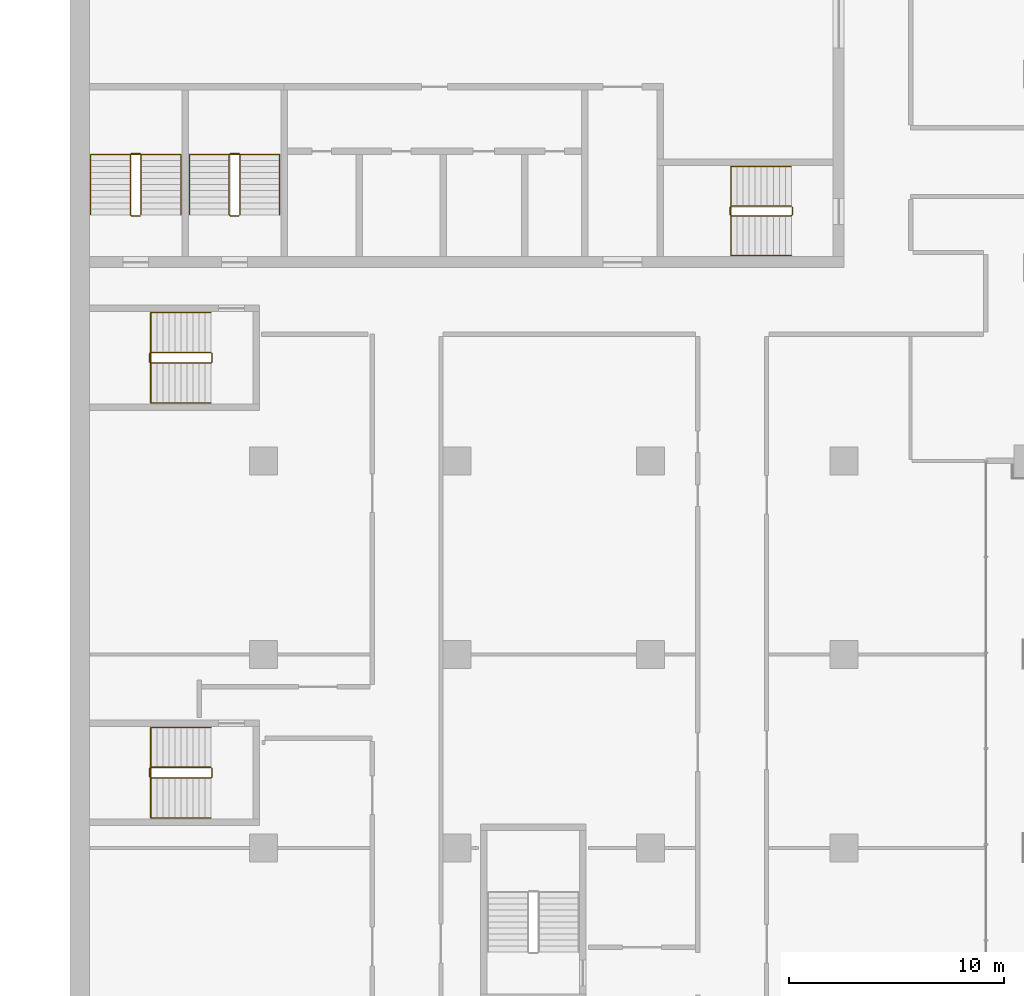
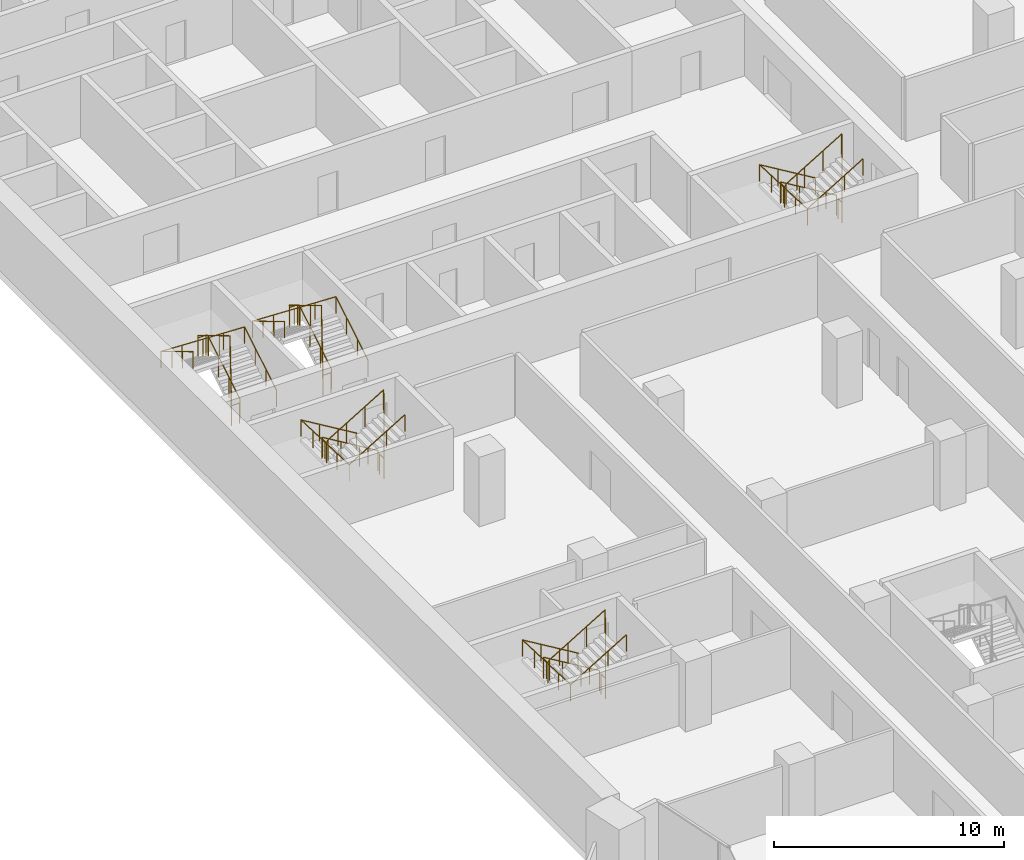
# One storey, part 20 of 22: 10 railings.
"""IFC4 building model written with IfcOpenShell, lengths in metres."""

from ifc_helpers import new_model, si_unit, direction, frame, origin, origin_2d, place, context, subcontext, project, spatial, circle, extrude, material, type_object, element, save


model = new_model("IFC4")

# Units and contexts
model_context = context("Model", 3, precision=1e-05, world=origin(), true_north=direction((0.0, 1.0)))
body_context = subcontext(model_context, "Body", "Model", "MODEL_VIEW")
ifc_project = project(units=[si_unit("LENGTHUNIT", "METRE"), si_unit("AREAUNIT", "SQUARE_METRE"), si_unit("VOLUMEUNIT", "CUBIC_METRE"), si_unit("PLANEANGLEUNIT", "RADIAN"), si_unit("MASSUNIT", "GRAM", prefix="KILO")], contexts=[model_context])

# Site, building, storey
site_placement = place(None, origin())
site = spatial("IfcSite", under=ifc_project, at=site_placement, CompositionType="ELEMENT")
building_placement = place(site_placement, origin())
building = spatial("IfcBuilding", under=site, at=building_placement, Name="Hunhe Ridgeline Campus", CompositionType="ELEMENT")
storey_placement = place(building_placement, frame((0.0, 0.0, 118.10009765625)))
storey = spatial("IfcBuildingStorey", under=building, at=storey_placement, Name="L29", CompositionType="ELEMENT", Elevation=118.10009765625)

# Railings
ifc_material_1 = material(Name="Stainless steel balustrade", Category="steel")
railing_type_1 = type_object("IfcRailingType", Name="Stair guard 1100 stainless", PredefinedType="GUARDRAIL", material=ifc_material_1)
railing_1_placement = place(storey_placement, frame((33.550048828125, 65.85009765625, 0.16796875)))
element("IfcRailing", 1, at=railing_1_placement, inside=storey, type_object=railing_type_1, Name="L29 stair S2 guard", PredefinedType="GUARDRAIL", context=body_context, shape_type="SweptSolid", body=[
    extrude(circle(Radius=0.02392578125, at=origin_2d()), frame((0.0, 0.0, 1.076171875), z_axis=(-0.857242210791, 0.0, 0.514913383045), x_axis=(0.0, -1.0, 0.0)), (0.0, 0.0, 1.0), 3.266357421875),
    extrude(circle(Radius=0.02392578125, at=origin_2d()), frame((-2.800048828125, 0.0, 2.7578125), z_axis=(-0.707106781187, -0.707106781187, 0.0), x_axis=(0.707106781187, -0.707106781187, 0.0)), (0.0, 0.0, 1.0), 0.07080078125),
    extrude(circle(Radius=0.02392578125, at=origin_2d()), frame((-2.85009765625, -0.050048828125, 2.7578125), z_axis=(0.0, -1.0, 0.0), x_axis=(1.0, 0.0, 0.0)), (0.0, 0.0, 1.0), 0.35009765625),
    extrude(circle(Radius=0.02392578125, at=origin_2d()), frame((-2.85009765625, -0.400146484375, 2.7578125), z_axis=(0.274243871929, -0.274243871929, 0.92172696468), x_axis=(0.707106781187, 0.707106781187, 0.0)), (0.0, 0.0, 1.0), 0.1826171875),
    extrude(circle(Radius=0.02392578125, at=origin_2d()), frame((-2.800048828125, -0.4501953125, 2.92626953125), z_axis=(0.857242210791, 0.0, 0.514913383045), x_axis=(0.0, 1.0, 0.0)), (0.0, 0.0, 1.0), 3.266357421875),
    extrude(circle(Radius=0.02392578125, at=origin_2d()), frame((0.0, -0.4501953125, 4.60791015625), z_axis=(0.013524414389, 0.013524414389, -0.999817073484), x_axis=(-0.707106781187, 0.707106781187, 0.0)), (0.0, 0.0, 1.0), 3.70068359375),
    extrude(circle(Radius=0.02392578125, at=origin_2d()), frame((0.050048828125, -0.400146484375, 0.908203125), z_axis=(0.0, 1.0, 0.0), x_axis=(-1.0, 0.0, 0.0)), (0.0, 0.0, 1.0), 0.35009765625),
    extrude(circle(Radius=0.02099609375, at=origin_2d()), origin(), (0.0, 0.0, 1.0), 1.052001953125),
    extrude(circle(Radius=0.02099609375, at=origin_2d()), frame((-0.933349609375, 0.0, 0.560546875)), (0.0, 0.0, 1.0), 1.052001953125),
    extrude(circle(Radius=0.02099609375, at=origin_2d()), frame((-1.86669921875, 0.0, 1.121337890625)), (0.0, 0.0, 1.0), 1.052001953125),
    extrude(circle(Radius=0.02099609375, at=origin_2d()), frame((-2.800048828125, 0.0, 1.681884765625)), (0.0, 0.0, 1.0), 1.052001953125),
    extrude(circle(Radius=0.02099609375, at=origin_2d()), frame((-2.85009765625, -0.050048828125, 1.681884765625)), (0.0, 0.0, 1.0), 1.052001953125),
    extrude(circle(Radius=0.02099609375, at=origin_2d()), frame((-2.85009765625, -0.400146484375, 1.681884765625)), (0.0, 0.0, 1.0), 1.052001953125),
    extrude(circle(Radius=0.02099609375, at=origin_2d()), frame((-2.800048828125, -0.4501953125, 1.85009765625)), (0.0, 0.0, 1.0), 1.052001953125),
    extrude(circle(Radius=0.02099609375, at=origin_2d()), frame((-1.86669921875, -0.4501953125, 2.41064453125)), (0.0, 0.0, 1.0), 1.052001953125),
    extrude(circle(Radius=0.02099609375, at=origin_2d()), frame((-0.933349609375, -0.4501953125, 2.971435546875)), (0.0, 0.0, 1.0), 1.052001953125),
    extrude(circle(Radius=0.02099609375, at=origin_2d()), frame((0.0, -0.4501953125, 3.531982421875)), (0.0, 0.0, 1.0), 1.052001953125),
    extrude(circle(Radius=0.02099609375, at=origin_2d()), frame((0.012451171875, -0.437744140625, 2.60693359375)), (0.0, 0.0, 1.0), 1.052001953125),
    extrude(circle(Radius=0.02099609375, at=origin_2d()), frame((0.02490234375, -0.42529296875, 1.68212890625)), (0.0, 0.0, 1.0), 1.052001953125),
    extrude(circle(Radius=0.02099609375, at=origin_2d()), frame((0.03759765625, -0.41259765625, 0.757080078125)), (0.0, 0.0, 1.0), 1.052001953125),
    extrude(circle(Radius=0.02099609375, at=origin_2d()), frame((0.050048828125, -0.400146484375, -0.16796875)), (0.0, 0.0, 1.0), 1.052001953125),
    extrude(circle(Radius=0.02099609375, at=origin_2d()), frame((0.050048828125, -0.050048828125, -0.16796875)), (0.0, 0.0, 1.0), 1.052001953125),
])
railing_2_placement = place(storey_placement, frame((3.300048828125, 65.449951171875, 0.16796875)))
element("IfcRailing", 2, at=railing_2_placement, inside=storey, type_object=railing_type_1, Name="L29 stair S3 guard", PredefinedType="GUARDRAIL", context=body_context, shape_type="SweptSolid", body=[
    extrude(circle(Radius=0.02392578125, at=origin_2d()), frame((0.0, 0.0, 1.076171875), z_axis=(0.0, 0.857242210791, 0.514913383045), x_axis=(-1.0, 0.0, 0.0)), (0.0, 0.0, 1.0), 3.266357421875),
    extrude(circle(Radius=0.02392578125, at=origin_2d()), frame((0.0, 2.800048828125, 2.7578125), z_axis=(-0.707106781187, 0.707106781187, 0.0), x_axis=(-0.707106781187, -0.707106781187, 0.0)), (0.0, 0.0, 1.0), 0.07080078125),
    extrude(circle(Radius=0.02392578125, at=origin_2d()), frame((-0.050048828125, 2.85009765625, 2.7578125), z_axis=(-1.0, 0.0, 0.0), x_axis=(0.0, -1.0, 0.0)), (0.0, 0.0, 1.0), 0.39990234375),
    extrude(circle(Radius=0.02392578125, at=origin_2d()), frame((-0.449951171875, 2.85009765625, 2.7578125), z_axis=(-0.274243871929, -0.274243871929, 0.92172696468), x_axis=(0.707106781187, -0.707106781187, 0.0)), (0.0, 0.0, 1.0), 0.1826171875),
    extrude(circle(Radius=0.02392578125, at=origin_2d()), frame((-0.5, 2.800048828125, 2.92626953125), z_axis=(0.0, -0.857242210791, 0.514913383045), x_axis=(1.0, 0.0, 0.0)), (0.0, 0.0, 1.0), 3.266357421875),
    extrude(circle(Radius=0.02392578125, at=origin_2d()), frame((-0.5, 0.0, 4.60791015625), z_axis=(0.013524414389, -0.013524414389, -0.999817073484), x_axis=(0.707106781187, 0.707106781187, 0.0)), (0.0, 0.0, 1.0), 3.70068359375),
    extrude(circle(Radius=0.02392578125, at=origin_2d()), frame((-0.449951171875, -0.050048828125, 0.908203125), z_axis=(1.0, 0.0, 0.0), x_axis=(0.0, 1.0, 0.0)), (0.0, 0.0, 1.0), 0.39990234375),
    extrude(circle(Radius=0.02099609375, at=origin_2d()), origin(), (0.0, 0.0, 1.0), 1.052001953125),
    extrude(circle(Radius=0.02099609375, at=origin_2d()), frame((0.0, 0.933349609375, 0.560546875)), (0.0, 0.0, 1.0), 1.052001953125),
    extrude(circle(Radius=0.02099609375, at=origin_2d()), frame((0.0, 1.86669921875, 1.121337890625)), (0.0, 0.0, 1.0), 1.052001953125),
    extrude(circle(Radius=0.02099609375, at=origin_2d()), frame((0.0, 2.800048828125, 1.681884765625)), (0.0, 0.0, 1.0), 1.052001953125),
    extrude(circle(Radius=0.02099609375, at=origin_2d()), frame((-0.050048828125, 2.85009765625, 1.681884765625)), (0.0, 0.0, 1.0), 1.052001953125),
    extrude(circle(Radius=0.02099609375, at=origin_2d()), frame((-0.449951171875, 2.85009765625, 1.681884765625)), (0.0, 0.0, 1.0), 1.052001953125),
    extrude(circle(Radius=0.02099609375, at=origin_2d()), frame((-0.5, 2.800048828125, 1.85009765625)), (0.0, 0.0, 1.0), 1.052001953125),
    extrude(circle(Radius=0.02099609375, at=origin_2d()), frame((-0.5, 1.86669921875, 2.41064453125)), (0.0, 0.0, 1.0), 1.052001953125),
    extrude(circle(Radius=0.02099609375, at=origin_2d()), frame((-0.5, 0.933349609375, 2.971435546875)), (0.0, 0.0, 1.0), 1.052001953125),
    extrude(circle(Radius=0.02099609375, at=origin_2d()), frame((-0.5, 0.0, 3.531982421875)), (0.0, 0.0, 1.0), 1.052001953125),
    extrude(circle(Radius=0.02099609375, at=origin_2d()), frame((-0.487548828125, -0.012451171875, 2.60693359375)), (0.0, 0.0, 1.0), 1.052001953125),
    extrude(circle(Radius=0.02099609375, at=origin_2d()), frame((-0.47509765625, -0.02490234375, 1.68212890625)), (0.0, 0.0, 1.0), 1.052001953125),
    extrude(circle(Radius=0.02099609375, at=origin_2d()), frame((-0.46240234375, -0.03759765625, 0.757080078125)), (0.0, 0.0, 1.0), 1.052001953125),
    extrude(circle(Radius=0.02099609375, at=origin_2d()), frame((-0.449951171875, -0.050048828125, -0.16796875)), (0.0, 0.0, 1.0), 1.052001953125),
    extrude(circle(Radius=0.02099609375, at=origin_2d()), frame((-0.050048828125, -0.050048828125, -0.16796875)), (0.0, 0.0, 1.0), 1.052001953125),
])
railing_3_placement = place(storey_placement, frame((7.89990234375, 65.449951171875, 0.16796875)))
element("IfcRailing", 3, at=railing_3_placement, inside=storey, type_object=railing_type_1, Name="L29 stair S4 guard", PredefinedType="GUARDRAIL", context=body_context, shape_type="SweptSolid", body=[
    extrude(circle(Radius=0.02392578125, at=origin_2d()), frame((0.0, 0.0, 1.076171875), z_axis=(0.0, 0.857242210791, 0.514913383045), x_axis=(-1.0, 0.0, 0.0)), (0.0, 0.0, 1.0), 3.266357421875),
    extrude(circle(Radius=0.02392578125, at=origin_2d()), frame((0.0, 2.800048828125, 2.7578125), z_axis=(-0.705375805398, 0.708833529934, 0.0), x_axis=(-0.708833529934, -0.705375805398, 0.0)), (0.0, 0.0, 1.0), 0.070556640625),
    extrude(circle(Radius=0.02392578125, at=origin_2d()), frame((-0.0498046875, 2.85009765625, 2.7578125), z_axis=(-1.0, 0.0, 0.0), x_axis=(0.0, -1.0, 0.0)), (0.0, 0.0, 1.0), 0.400146484375),
    extrude(circle(Radius=0.02392578125, at=origin_2d()), frame((-0.449951171875, 2.85009765625, 2.7578125), z_axis=(-0.274243871929, -0.274243871929, 0.92172696468), x_axis=(0.707106781187, -0.707106781187, 0.0)), (0.0, 0.0, 1.0), 0.1826171875),
    extrude(circle(Radius=0.02392578125, at=origin_2d()), frame((-0.5, 2.800048828125, 2.92626953125), z_axis=(0.0, -0.857242210791, 0.514913383045), x_axis=(1.0, 0.0, 0.0)), (0.0, 0.0, 1.0), 3.266357421875),
    extrude(circle(Radius=0.02392578125, at=origin_2d()), frame((-0.5, 0.0, 4.60791015625), z_axis=(0.013524414389, -0.013524414389, -0.999817073484), x_axis=(0.707106781187, 0.707106781187, 0.0)), (0.0, 0.0, 1.0), 3.70068359375),
    extrude(circle(Radius=0.02392578125, at=origin_2d()), frame((-0.449951171875, -0.050048828125, 0.908203125), z_axis=(1.0, 0.0, 0.0), x_axis=(0.0, 1.0, 0.0)), (0.0, 0.0, 1.0), 0.400146484375),
    extrude(circle(Radius=0.02099609375, at=origin_2d()), origin(), (0.0, 0.0, 1.0), 1.052001953125),
    extrude(circle(Radius=0.02099609375, at=origin_2d()), frame((0.0, 0.933349609375, 0.560546875)), (0.0, 0.0, 1.0), 1.052001953125),
    extrude(circle(Radius=0.02099609375, at=origin_2d()), frame((0.0, 1.86669921875, 1.121337890625)), (0.0, 0.0, 1.0), 1.052001953125),
    extrude(circle(Radius=0.02099609375, at=origin_2d()), frame((0.0, 2.800048828125, 1.681884765625)), (0.0, 0.0, 1.0), 1.052001953125),
    extrude(circle(Radius=0.02099609375, at=origin_2d()), frame((-0.0498046875, 2.85009765625, 1.681884765625)), (0.0, 0.0, 1.0), 1.052001953125),
    extrude(circle(Radius=0.02099609375, at=origin_2d()), frame((-0.449951171875, 2.85009765625, 1.681884765625)), (0.0, 0.0, 1.0), 1.052001953125),
    extrude(circle(Radius=0.02099609375, at=origin_2d()), frame((-0.5, 2.800048828125, 1.85009765625)), (0.0, 0.0, 1.0), 1.052001953125),
    extrude(circle(Radius=0.02099609375, at=origin_2d()), frame((-0.5, 1.86669921875, 2.41064453125)), (0.0, 0.0, 1.0), 1.052001953125),
    extrude(circle(Radius=0.02099609375, at=origin_2d()), frame((-0.5, 0.933349609375, 2.971435546875)), (0.0, 0.0, 1.0), 1.052001953125),
    extrude(circle(Radius=0.02099609375, at=origin_2d()), frame((-0.5, 0.0, 3.531982421875)), (0.0, 0.0, 1.0), 1.052001953125),
    extrude(circle(Radius=0.02099609375, at=origin_2d()), frame((-0.487548828125, -0.012451171875, 2.60693359375)), (0.0, 0.0, 1.0), 1.052001953125),
    extrude(circle(Radius=0.02099609375, at=origin_2d()), frame((-0.47509765625, -0.02490234375, 1.68212890625)), (0.0, 0.0, 1.0), 1.052001953125),
    extrude(circle(Radius=0.02099609375, at=origin_2d()), frame((-0.46240234375, -0.03759765625, 0.757080078125)), (0.0, 0.0, 1.0), 1.052001953125),
    extrude(circle(Radius=0.02099609375, at=origin_2d()), frame((-0.449951171875, -0.050048828125, -0.16796875)), (0.0, 0.0, 1.0), 1.052001953125),
    extrude(circle(Radius=0.02099609375, at=origin_2d()), frame((-0.0498046875, -0.050048828125, -0.16796875)), (0.0, 0.0, 1.0), 1.052001953125),
])
railing_4_placement = place(storey_placement, frame((6.550048828125, 39.75, 0.16796875)))
element("IfcRailing", 4, at=railing_4_placement, inside=storey, type_object=railing_type_1, Name="L29 stair W1 guard", PredefinedType="GUARDRAIL", context=body_context, shape_type="SweptSolid", body=[
    extrude(circle(Radius=0.02392578125, at=origin_2d()), frame((0.0, 0.0, 1.076171875), z_axis=(-0.857242210791, 0.0, 0.514913383045), x_axis=(0.0, -1.0, 0.0)), (0.0, 0.0, 1.0), 3.266357421875),
    extrude(circle(Radius=0.02392578125, at=origin_2d()), frame((-2.800048828125, 0.0, 2.7578125), z_axis=(-0.707106781187, -0.707106781187, 0.0), x_axis=(0.707106781187, -0.707106781187, 0.0)), (0.0, 0.0, 1.0), 0.07080078125),
    extrude(circle(Radius=0.02392578125, at=origin_2d()), frame((-2.85009765625, -0.050048828125, 2.7578125), z_axis=(0.0, -1.0, 0.0), x_axis=(1.0, 0.0, 0.0)), (0.0, 0.0, 1.0), 0.39990234375),
    extrude(circle(Radius=0.02392578125, at=origin_2d()), frame((-2.85009765625, -0.449951171875, 2.7578125), z_axis=(0.274243871929, -0.274243871929, 0.92172696468), x_axis=(0.707106781187, 0.707106781187, 0.0)), (0.0, 0.0, 1.0), 0.1826171875),
    extrude(circle(Radius=0.02392578125, at=origin_2d()), frame((-2.800048828125, -0.5, 2.92626953125), z_axis=(0.857242210791, 0.0, 0.514913383045), x_axis=(0.0, 1.0, 0.0)), (0.0, 0.0, 1.0), 3.266357421875),
    extrude(circle(Radius=0.02392578125, at=origin_2d()), frame((0.0, -0.5, 4.60791015625), z_axis=(0.013524414389, 0.013524414389, -0.999817073484), x_axis=(-0.707106781187, 0.707106781187, 0.0)), (0.0, 0.0, 1.0), 3.70068359375),
    extrude(circle(Radius=0.02392578125, at=origin_2d()), frame((0.050048828125, -0.449951171875, 0.908203125), z_axis=(0.0, 1.0, 0.0), x_axis=(-1.0, 0.0, 0.0)), (0.0, 0.0, 1.0), 0.39990234375),
    extrude(circle(Radius=0.02099609375, at=origin_2d()), origin(), (0.0, 0.0, 1.0), 1.052001953125),
    extrude(circle(Radius=0.02099609375, at=origin_2d()), frame((-0.933349609375, 0.0, 0.560546875)), (0.0, 0.0, 1.0), 1.052001953125),
    extrude(circle(Radius=0.02099609375, at=origin_2d()), frame((-1.86669921875, 0.0, 1.121337890625)), (0.0, 0.0, 1.0), 1.052001953125),
    extrude(circle(Radius=0.02099609375, at=origin_2d()), frame((-2.800048828125, 0.0, 1.681884765625)), (0.0, 0.0, 1.0), 1.052001953125),
    extrude(circle(Radius=0.02099609375, at=origin_2d()), frame((-2.85009765625, -0.050048828125, 1.681884765625)), (0.0, 0.0, 1.0), 1.052001953125),
    extrude(circle(Radius=0.02099609375, at=origin_2d()), frame((-2.85009765625, -0.449951171875, 1.681884765625)), (0.0, 0.0, 1.0), 1.052001953125),
    extrude(circle(Radius=0.02099609375, at=origin_2d()), frame((-2.800048828125, -0.5, 1.85009765625)), (0.0, 0.0, 1.0), 1.052001953125),
    extrude(circle(Radius=0.02099609375, at=origin_2d()), frame((-1.86669921875, -0.5, 2.41064453125)), (0.0, 0.0, 1.0), 1.052001953125),
    extrude(circle(Radius=0.02099609375, at=origin_2d()), frame((-0.933349609375, -0.5, 2.971435546875)), (0.0, 0.0, 1.0), 1.052001953125),
    extrude(circle(Radius=0.02099609375, at=origin_2d()), frame((0.0, -0.5, 3.531982421875)), (0.0, 0.0, 1.0), 1.052001953125),
    extrude(circle(Radius=0.02099609375, at=origin_2d()), frame((0.012451171875, -0.487548828125, 2.60693359375)), (0.0, 0.0, 1.0), 1.052001953125),
    extrude(circle(Radius=0.02099609375, at=origin_2d()), frame((0.02490234375, -0.47509765625, 1.68212890625)), (0.0, 0.0, 1.0), 1.052001953125),
    extrude(circle(Radius=0.02099609375, at=origin_2d()), frame((0.03759765625, -0.46240234375, 0.757080078125)), (0.0, 0.0, 1.0), 1.052001953125),
    extrude(circle(Radius=0.02099609375, at=origin_2d()), frame((0.050048828125, -0.449951171875, -0.16796875)), (0.0, 0.0, 1.0), 1.052001953125),
    extrude(circle(Radius=0.02099609375, at=origin_2d()), frame((0.050048828125, -0.050048828125, -0.16796875)), (0.0, 0.0, 1.0), 1.052001953125),
])
railing_5_placement = place(storey_placement, frame((6.550048828125, 59.050048828125, 0.16796875)))
element("IfcRailing", 5, at=railing_5_placement, inside=storey, type_object=railing_type_1, Name="L29 stair W2 guard", PredefinedType="GUARDRAIL", context=body_context, shape_type="SweptSolid", body=[
    extrude(circle(Radius=0.02392578125, at=origin_2d()), frame((0.0, 0.0, 1.076171875), z_axis=(-0.857242210791, 0.0, 0.514913383045), x_axis=(0.0, -1.0, 0.0)), (0.0, 0.0, 1.0), 3.266357421875),
    extrude(circle(Radius=0.02392578125, at=origin_2d()), frame((-2.800048828125, 0.0, 2.7578125), z_axis=(-0.707106781187, -0.707106781187, 0.0), x_axis=(0.707106781187, -0.707106781187, 0.0)), (0.0, 0.0, 1.0), 0.07080078125),
    extrude(circle(Radius=0.02392578125, at=origin_2d()), frame((-2.85009765625, -0.050048828125, 2.7578125), z_axis=(0.0, -1.0, 0.0), x_axis=(1.0, 0.0, 0.0)), (0.0, 0.0, 1.0), 0.39990234375),
    extrude(circle(Radius=0.02392578125, at=origin_2d()), frame((-2.85009765625, -0.449951171875, 2.7578125), z_axis=(0.274243871929, -0.274243871929, 0.92172696468), x_axis=(0.707106781187, 0.707106781187, 0.0)), (0.0, 0.0, 1.0), 0.1826171875),
    extrude(circle(Radius=0.02392578125, at=origin_2d()), frame((-2.800048828125, -0.5, 2.92626953125), z_axis=(0.857242210791, 0.0, 0.514913383045), x_axis=(0.0, 1.0, 0.0)), (0.0, 0.0, 1.0), 3.266357421875),
    extrude(circle(Radius=0.02392578125, at=origin_2d()), frame((0.0, -0.5, 4.60791015625), z_axis=(0.013524414389, 0.013524414389, -0.999817073484), x_axis=(-0.707106781187, 0.707106781187, 0.0)), (0.0, 0.0, 1.0), 3.70068359375),
    extrude(circle(Radius=0.02392578125, at=origin_2d()), frame((0.050048828125, -0.449951171875, 0.908203125), z_axis=(0.0, 1.0, 0.0), x_axis=(-1.0, 0.0, 0.0)), (0.0, 0.0, 1.0), 0.39990234375),
    extrude(circle(Radius=0.02099609375, at=origin_2d()), origin(), (0.0, 0.0, 1.0), 1.052001953125),
    extrude(circle(Radius=0.02099609375, at=origin_2d()), frame((-0.933349609375, 0.0, 0.560546875)), (0.0, 0.0, 1.0), 1.052001953125),
    extrude(circle(Radius=0.02099609375, at=origin_2d()), frame((-1.86669921875, 0.0, 1.121337890625)), (0.0, 0.0, 1.0), 1.052001953125),
    extrude(circle(Radius=0.02099609375, at=origin_2d()), frame((-2.800048828125, 0.0, 1.681884765625)), (0.0, 0.0, 1.0), 1.052001953125),
    extrude(circle(Radius=0.02099609375, at=origin_2d()), frame((-2.85009765625, -0.050048828125, 1.681884765625)), (0.0, 0.0, 1.0), 1.052001953125),
    extrude(circle(Radius=0.02099609375, at=origin_2d()), frame((-2.85009765625, -0.449951171875, 1.681884765625)), (0.0, 0.0, 1.0), 1.052001953125),
    extrude(circle(Radius=0.02099609375, at=origin_2d()), frame((-2.800048828125, -0.5, 1.85009765625)), (0.0, 0.0, 1.0), 1.052001953125),
    extrude(circle(Radius=0.02099609375, at=origin_2d()), frame((-1.86669921875, -0.5, 2.41064453125)), (0.0, 0.0, 1.0), 1.052001953125),
    extrude(circle(Radius=0.02099609375, at=origin_2d()), frame((-0.933349609375, -0.5, 2.971435546875)), (0.0, 0.0, 1.0), 1.052001953125),
    extrude(circle(Radius=0.02099609375, at=origin_2d()), frame((0.0, -0.5, 3.531982421875)), (0.0, 0.0, 1.0), 1.052001953125),
    extrude(circle(Radius=0.02099609375, at=origin_2d()), frame((0.012451171875, -0.487548828125, 2.60693359375)), (0.0, 0.0, 1.0), 1.052001953125),
    extrude(circle(Radius=0.02099609375, at=origin_2d()), frame((0.02490234375, -0.47509765625, 1.68212890625)), (0.0, 0.0, 1.0), 1.052001953125),
    extrude(circle(Radius=0.02099609375, at=origin_2d()), frame((0.03759765625, -0.46240234375, 0.757080078125)), (0.0, 0.0, 1.0), 1.052001953125),
    extrude(circle(Radius=0.02099609375, at=origin_2d()), frame((0.050048828125, -0.449951171875, -0.16796875)), (0.0, 0.0, 1.0), 1.052001953125),
    extrude(circle(Radius=0.02099609375, at=origin_2d()), frame((0.050048828125, -0.050048828125, -0.16796875)), (0.0, 0.0, 1.0), 1.052001953125),
])
ifc_material_2 = material(Name="Stainless steel handrail", Category="steel")
railing_type_2 = type_object("IfcRailingType", Name="Stair handrail 900 stainless", PredefinedType="HANDRAIL", material=ifc_material_2)
railing_6_placement = place(storey_placement, frame((33.550048828125, 67.699951171875, 0.16796875)))
element("IfcRailing", 6, at=railing_6_placement, inside=storey, type_object=railing_type_2, Name="L29 stair S2 handrail", PredefinedType="HANDRAIL", context=body_context, shape_type="SweptSolid", body=[
    extrude(circle(Radius=0.02392578125, at=origin_2d()), frame((0.0, 0.0, 0.8759765625), z_axis=(-0.857242210791, 0.0, 0.514913383045), x_axis=(0.0, -1.0, 0.0)), (0.0, 0.0, 1.0), 3.266357421875),
    extrude(circle(Radius=0.02392578125, at=origin_2d()), frame((-2.800048828125, 0.0, 2.5576171875), z_axis=(0.0, -0.99917950104, 0.040500922239), x_axis=(1.0, 0.0, 0.0)), (0.0, 0.0, 1.0), 4.1533203125),
    extrude(circle(Radius=0.02392578125, at=origin_2d()), frame((-2.800048828125, -4.14990234375, 2.72607421875), z_axis=(0.857242210791, 0.0, 0.514913383045), x_axis=(0.0, 1.0, 0.0)), (0.0, 0.0, 1.0), 3.266357421875),
    extrude(circle(Radius=0.02099609375, at=origin_2d()), origin(), (0.0, 0.0, 1.0), 0.851806640625),
    extrude(circle(Radius=0.02099609375, at=origin_2d()), frame((-0.933349609375, 0.0, 0.560546875)), (0.0, 0.0, 1.0), 0.851806640625),
    extrude(circle(Radius=0.02099609375, at=origin_2d()), frame((-1.86669921875, 0.0, 1.121337890625)), (0.0, 0.0, 1.0), 0.851806640625),
    extrude(circle(Radius=0.02099609375, at=origin_2d()), frame((-2.800048828125, 0.0, 1.681884765625)), (0.0, 0.0, 1.0), 0.851806640625),
    extrude(circle(Radius=0.02099609375, at=origin_2d()), frame((-2.800048828125, -1.03759765625, 1.723876953125)), (0.0, 0.0, 1.0), 0.851806640625),
    extrude(circle(Radius=0.02099609375, at=origin_2d()), frame((-2.800048828125, -2.074951171875, 1.76611328125)), (0.0, 0.0, 1.0), 0.851806640625),
    extrude(circle(Radius=0.02099609375, at=origin_2d()), frame((-2.800048828125, -3.1123046875, 1.80810546875)), (0.0, 0.0, 1.0), 0.851806640625),
    extrude(circle(Radius=0.02099609375, at=origin_2d()), frame((-2.800048828125, -4.14990234375, 1.85009765625)), (0.0, 0.0, 1.0), 0.851806640625),
    extrude(circle(Radius=0.02099609375, at=origin_2d()), frame((-1.86669921875, -4.14990234375, 2.41064453125)), (0.0, 0.0, 1.0), 0.851806640625),
    extrude(circle(Radius=0.02099609375, at=origin_2d()), frame((-0.933349609375, -4.14990234375, 2.971435546875)), (0.0, 0.0, 1.0), 0.851806640625),
    extrude(circle(Radius=0.02099609375, at=origin_2d()), frame((0.0, -4.14990234375, 3.531982421875)), (0.0, 0.0, 1.0), 0.851806640625),
])
railing_7_placement = place(storey_placement, frame((5.14990234375, 65.449951171875, 0.16796875)))
element("IfcRailing", 7, at=railing_7_placement, inside=storey, type_object=railing_type_2, Name="L29 stair S3 handrail", PredefinedType="HANDRAIL", context=body_context, shape_type="SweptSolid", body=[
    extrude(circle(Radius=0.02392578125, at=origin_2d()), frame((0.0, 0.0, 0.8759765625), z_axis=(0.0, 0.857242210791, 0.514913383045), x_axis=(-1.0, 0.0, 0.0)), (0.0, 0.0, 1.0), 3.266357421875),
    extrude(circle(Radius=0.02392578125, at=origin_2d()), frame((0.0, 2.800048828125, 2.5576171875), z_axis=(-0.999198916169, 0.0, 0.040019069537), x_axis=(0.0, -1.0, 0.0)), (0.0, 0.0, 1.0), 4.203369140625),
    extrude(circle(Radius=0.02392578125, at=origin_2d()), frame((-4.199951171875, 2.800048828125, 2.72607421875), z_axis=(0.0, -0.857242210791, 0.514913383045), x_axis=(1.0, 0.0, 0.0)), (0.0, 0.0, 1.0), 3.266357421875),
    extrude(circle(Radius=0.02099609375, at=origin_2d()), origin(), (0.0, 0.0, 1.0), 0.851806640625),
    extrude(circle(Radius=0.02099609375, at=origin_2d()), frame((0.0, 0.933349609375, 0.560546875)), (0.0, 0.0, 1.0), 0.851806640625),
    extrude(circle(Radius=0.02099609375, at=origin_2d()), frame((0.0, 1.86669921875, 1.121337890625)), (0.0, 0.0, 1.0), 0.851806640625),
    extrude(circle(Radius=0.02099609375, at=origin_2d()), frame((0.0, 2.800048828125, 1.681884765625)), (0.0, 0.0, 1.0), 0.851806640625),
    extrude(circle(Radius=0.02099609375, at=origin_2d()), frame((-1.050048828125, 2.800048828125, 1.723876953125)), (0.0, 0.0, 1.0), 0.851806640625),
    extrude(circle(Radius=0.02099609375, at=origin_2d()), frame((-2.10009765625, 2.800048828125, 1.76611328125)), (0.0, 0.0, 1.0), 0.851806640625),
    extrude(circle(Radius=0.02099609375, at=origin_2d()), frame((-3.14990234375, 2.800048828125, 1.80810546875)), (0.0, 0.0, 1.0), 0.851806640625),
    extrude(circle(Radius=0.02099609375, at=origin_2d()), frame((-4.199951171875, 2.800048828125, 1.85009765625)), (0.0, 0.0, 1.0), 0.851806640625),
    extrude(circle(Radius=0.02099609375, at=origin_2d()), frame((-4.199951171875, 1.86669921875, 2.41064453125)), (0.0, 0.0, 1.0), 0.851806640625),
    extrude(circle(Radius=0.02099609375, at=origin_2d()), frame((-4.199951171875, 0.933349609375, 2.971435546875)), (0.0, 0.0, 1.0), 0.851806640625),
    extrude(circle(Radius=0.02099609375, at=origin_2d()), frame((-4.199951171875, 0.0, 3.531982421875)), (0.0, 0.0, 1.0), 0.851806640625),
])
railing_8_placement = place(storey_placement, frame((9.75, 65.449951171875, 0.16796875)))
element("IfcRailing", 8, at=railing_8_placement, inside=storey, type_object=railing_type_2, Name="L29 stair S4 handrail", PredefinedType="HANDRAIL", context=body_context, shape_type="SweptSolid", body=[
    extrude(circle(Radius=0.02392578125, at=origin_2d()), frame((0.0, 0.0, 0.8759765625), z_axis=(0.0, 0.857242210791, 0.514913383045), x_axis=(-1.0, 0.0, 0.0)), (0.0, 0.0, 1.0), 3.266357421875),
    extrude(circle(Radius=0.02392578125, at=origin_2d()), frame((0.0, 2.800048828125, 2.5576171875), z_axis=(-0.999198916169, 0.0, 0.040019069537), x_axis=(0.0, -1.0, 0.0)), (0.0, 0.0, 1.0), 4.203369140625),
    extrude(circle(Radius=0.02392578125, at=origin_2d()), frame((-4.199951171875, 2.800048828125, 2.72607421875), z_axis=(0.0, -0.857242210791, 0.514913383045), x_axis=(1.0, 0.0, 0.0)), (0.0, 0.0, 1.0), 3.266357421875),
    extrude(circle(Radius=0.02099609375, at=origin_2d()), origin(), (0.0, 0.0, 1.0), 0.851806640625),
    extrude(circle(Radius=0.02099609375, at=origin_2d()), frame((0.0, 0.933349609375, 0.560546875)), (0.0, 0.0, 1.0), 0.851806640625),
    extrude(circle(Radius=0.02099609375, at=origin_2d()), frame((0.0, 1.86669921875, 1.121337890625)), (0.0, 0.0, 1.0), 0.851806640625),
    extrude(circle(Radius=0.02099609375, at=origin_2d()), frame((0.0, 2.800048828125, 1.681884765625)), (0.0, 0.0, 1.0), 0.851806640625),
    extrude(circle(Radius=0.02099609375, at=origin_2d()), frame((-1.050048828125, 2.800048828125, 1.723876953125)), (0.0, 0.0, 1.0), 0.851806640625),
    extrude(circle(Radius=0.02099609375, at=origin_2d()), frame((-2.10009765625, 2.800048828125, 1.76611328125)), (0.0, 0.0, 1.0), 0.851806640625),
    extrude(circle(Radius=0.02099609375, at=origin_2d()), frame((-3.14990234375, 2.800048828125, 1.80810546875)), (0.0, 0.0, 1.0), 0.851806640625),
    extrude(circle(Radius=0.02099609375, at=origin_2d()), frame((-4.199951171875, 2.800048828125, 1.85009765625)), (0.0, 0.0, 1.0), 0.851806640625),
    extrude(circle(Radius=0.02099609375, at=origin_2d()), frame((-4.199951171875, 1.86669921875, 2.41064453125)), (0.0, 0.0, 1.0), 0.851806640625),
    extrude(circle(Radius=0.02099609375, at=origin_2d()), frame((-4.199951171875, 0.933349609375, 2.971435546875)), (0.0, 0.0, 1.0), 0.851806640625),
    extrude(circle(Radius=0.02099609375, at=origin_2d()), frame((-4.199951171875, 0.0, 3.531982421875)), (0.0, 0.0, 1.0), 0.851806640625),
])
railing_9_placement = place(storey_placement, frame((6.550048828125, 41.60009765625, 0.16796875)))
element("IfcRailing", 9, at=railing_9_placement, inside=storey, type_object=railing_type_2, Name="L29 stair W1 handrail", PredefinedType="HANDRAIL", context=body_context, shape_type="SweptSolid", body=[
    extrude(circle(Radius=0.02392578125, at=origin_2d()), frame((0.0, 0.0, 0.8759765625), z_axis=(-0.857242210791, 0.0, 0.514913383045), x_axis=(0.0, -1.0, 0.0)), (0.0, 0.0, 1.0), 3.266357421875),
    extrude(circle(Radius=0.02392578125, at=origin_2d()), frame((-2.800048828125, 0.0, 2.5576171875), z_axis=(0.0, -0.999199009182, 0.040016747113), x_axis=(1.0, 0.0, 0.0)), (0.0, 0.0, 1.0), 4.20361328125),
    extrude(circle(Radius=0.02392578125, at=origin_2d()), frame((-2.800048828125, -4.2001953125, 2.72607421875), z_axis=(0.857242210791, 0.0, 0.514913383045), x_axis=(0.0, 1.0, 0.0)), (0.0, 0.0, 1.0), 3.266357421875),
    extrude(circle(Radius=0.02099609375, at=origin_2d()), origin(), (0.0, 0.0, 1.0), 0.851806640625),
    extrude(circle(Radius=0.02099609375, at=origin_2d()), frame((-0.933349609375, 0.0, 0.560546875)), (0.0, 0.0, 1.0), 0.851806640625),
    extrude(circle(Radius=0.02099609375, at=origin_2d()), frame((-1.86669921875, 0.0, 1.121337890625)), (0.0, 0.0, 1.0), 0.851806640625),
    extrude(circle(Radius=0.02099609375, at=origin_2d()), frame((-2.800048828125, 0.0, 1.681884765625)), (0.0, 0.0, 1.0), 0.851806640625),
    extrude(circle(Radius=0.02099609375, at=origin_2d()), frame((-2.800048828125, -1.050048828125, 1.723876953125)), (0.0, 0.0, 1.0), 0.851806640625),
    extrude(circle(Radius=0.02099609375, at=origin_2d()), frame((-2.800048828125, -2.10009765625, 1.76611328125)), (0.0, 0.0, 1.0), 0.851806640625),
    extrude(circle(Radius=0.02099609375, at=origin_2d()), frame((-2.800048828125, -3.150146484375, 1.80810546875)), (0.0, 0.0, 1.0), 0.851806640625),
    extrude(circle(Radius=0.02099609375, at=origin_2d()), frame((-2.800048828125, -4.2001953125, 1.85009765625)), (0.0, 0.0, 1.0), 0.851806640625),
    extrude(circle(Radius=0.02099609375, at=origin_2d()), frame((-1.86669921875, -4.2001953125, 2.41064453125)), (0.0, 0.0, 1.0), 0.851806640625),
    extrude(circle(Radius=0.02099609375, at=origin_2d()), frame((-0.933349609375, -4.2001953125, 2.971435546875)), (0.0, 0.0, 1.0), 0.851806640625),
    extrude(circle(Radius=0.02099609375, at=origin_2d()), frame((0.0, -4.2001953125, 3.531982421875)), (0.0, 0.0, 1.0), 0.851806640625),
])
railing_10_placement = place(storey_placement, frame((6.550048828125, 60.89990234375, 0.16796875)))
element("IfcRailing", 10, at=railing_10_placement, inside=storey, type_object=railing_type_2, Name="L29 stair W2 handrail", PredefinedType="HANDRAIL", context=body_context, shape_type="SweptSolid", body=[
    extrude(circle(Radius=0.02392578125, at=origin_2d()), frame((0.0, 0.0, 0.8759765625), z_axis=(-0.857242210791, 0.0, 0.514913383045), x_axis=(0.0, -1.0, 0.0)), (0.0, 0.0, 1.0), 3.266357421875),
    extrude(circle(Radius=0.02392578125, at=origin_2d()), frame((-2.800048828125, 0.0, 2.5576171875), z_axis=(0.0, -0.999198916169, 0.040019069537), x_axis=(1.0, 0.0, 0.0)), (0.0, 0.0, 1.0), 4.203369140625),
    extrude(circle(Radius=0.02392578125, at=origin_2d()), frame((-2.800048828125, -4.199951171875, 2.72607421875), z_axis=(0.857242210791, 0.0, 0.514913383045), x_axis=(0.0, 1.0, 0.0)), (0.0, 0.0, 1.0), 3.266357421875),
    extrude(circle(Radius=0.02099609375, at=origin_2d()), origin(), (0.0, 0.0, 1.0), 0.851806640625),
    extrude(circle(Radius=0.02099609375, at=origin_2d()), frame((-0.933349609375, 0.0, 0.560546875)), (0.0, 0.0, 1.0), 0.851806640625),
    extrude(circle(Radius=0.02099609375, at=origin_2d()), frame((-1.86669921875, 0.0, 1.121337890625)), (0.0, 0.0, 1.0), 0.851806640625),
    extrude(circle(Radius=0.02099609375, at=origin_2d()), frame((-2.800048828125, 0.0, 1.681884765625)), (0.0, 0.0, 1.0), 0.851806640625),
    extrude(circle(Radius=0.02099609375, at=origin_2d()), frame((-2.800048828125, -1.050048828125, 1.723876953125)), (0.0, 0.0, 1.0), 0.851806640625),
    extrude(circle(Radius=0.02099609375, at=origin_2d()), frame((-2.800048828125, -2.10009765625, 1.76611328125)), (0.0, 0.0, 1.0), 0.851806640625),
    extrude(circle(Radius=0.02099609375, at=origin_2d()), frame((-2.800048828125, -3.14990234375, 1.80810546875)), (0.0, 0.0, 1.0), 0.851806640625),
    extrude(circle(Radius=0.02099609375, at=origin_2d()), frame((-2.800048828125, -4.199951171875, 1.85009765625)), (0.0, 0.0, 1.0), 0.851806640625),
    extrude(circle(Radius=0.02099609375, at=origin_2d()), frame((-1.86669921875, -4.199951171875, 2.41064453125)), (0.0, 0.0, 1.0), 0.851806640625),
    extrude(circle(Radius=0.02099609375, at=origin_2d()), frame((-0.933349609375, -4.199951171875, 2.971435546875)), (0.0, 0.0, 1.0), 0.851806640625),
    extrude(circle(Radius=0.02099609375, at=origin_2d()), frame((0.0, -4.199951171875, 3.531982421875)), (0.0, 0.0, 1.0), 0.851806640625),
])

save(model, "model.ifc")
